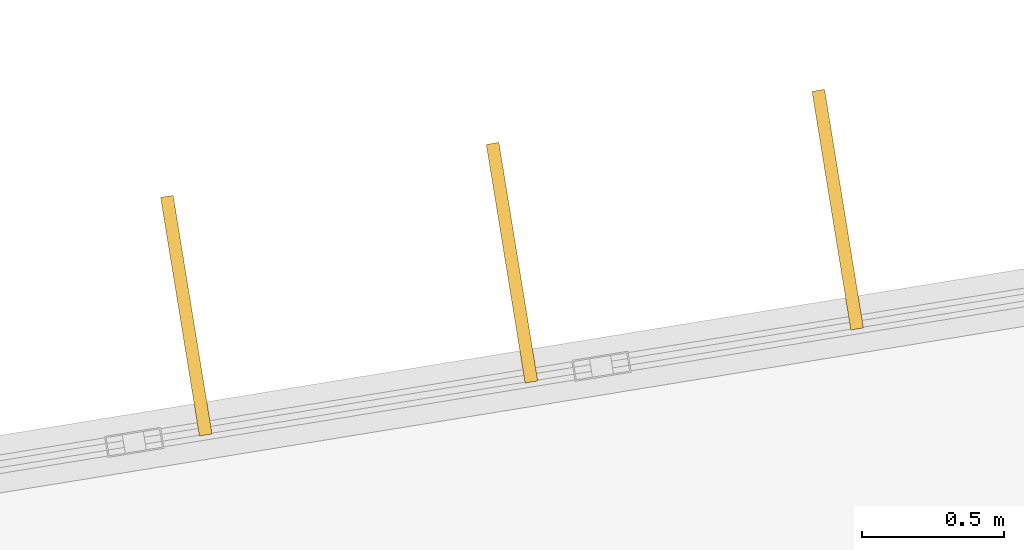
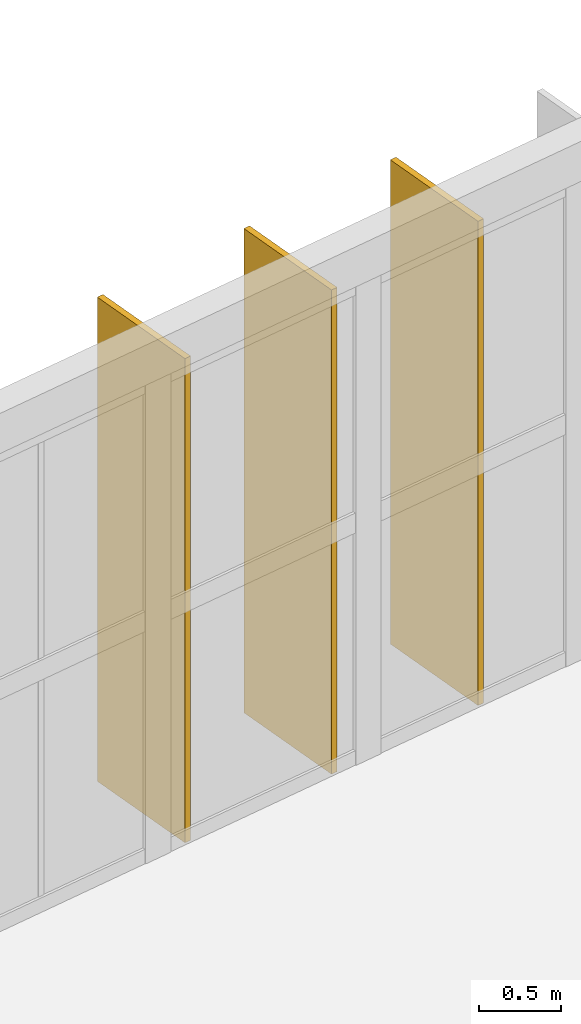
# One storey, part 144 of 148: 3 shading devices.
"""IFC4 building model written with IfcOpenShell, lengths in metres."""

from ifc_helpers import new_model, si_unit, direction, frame, origin, origin_2d, place, context, subcontext, project, spatial, rectangle, extrude, material, layer, layer_set, type_object, element, save


model = new_model("IFC4")

# Units and contexts
model_context = context("Model", 3, precision=1e-05, world=origin(), true_north=direction((0.0, 1.0)))
body_context = subcontext(model_context, "Body", "Model", "MODEL_VIEW")
ifc_project = project(units=[si_unit("LENGTHUNIT", "METRE"), si_unit("AREAUNIT", "SQUARE_METRE"), si_unit("VOLUMEUNIT", "CUBIC_METRE"), si_unit("PLANEANGLEUNIT", "RADIAN"), si_unit("MASSUNIT", "GRAM", prefix="KILO")], contexts=[model_context])

# Site, building, storey
site_placement = place(None, origin())
site = spatial("IfcSite", under=ifc_project, at=site_placement, CompositionType="ELEMENT")
building_placement = place(site_placement, origin())
building = spatial("IfcBuilding", under=site, at=building_placement, Name="Karori Crest Natural Sciences Institute", CompositionType="ELEMENT")
storey_placement = place(building_placement, frame((0.0, 0.0, 4.89990234375)))
storey = spatial("IfcBuildingStorey", under=building, at=storey_placement, Name="L01", CompositionType="ELEMENT", Elevation=4.89990234375)

# Shading devices
ifc_material = material(Name="Anodised architectural aluminium 6063-T6", Category="aluminium")
ifc_layer = layer(ifc_material, 0.044921875, Name="Anodised architectural aluminium 6063-T6")
ifc_layer_set = layer_set([ifc_layer], Name="Anodised architectural aluminium 6063-T6")
shading_device_type = type_object("IfcShadingDeviceType", Name="SDT-FIN", PredefinedType="USERDEFINED", material=ifc_layer_set)
for number, where, z_axis, x_axis, name in (
    (1, (61.5009765625, 90.318115234375, 0.0), (0.0, 0.0, 1.0), (-0.16065643331, 0.987010390237, 0.0), "Vertical solar fin FN-0055"),
    (2, (62.646240234375, 90.50439453125, 0.0), (0.0, 0.0, 1.0), (-0.16065643331, 0.987010390237, 0.0), "Vertical solar fin FN-0056"),
    (3, (63.79150390625, 90.69091796875, 0.0), (0.0, 0.0, 1.0), (-0.16065643331, 0.987010390237, 0.0), "Vertical solar fin FN-0057"),
):
    element("IfcShadingDevice", number, at=place(storey_placement, frame(where, z_axis=z_axis, x_axis=x_axis)), inside=storey, type_object=shading_device_type, Name=name, ObjectType="SOLAR_FIN", PredefinedType="USERDEFINED", context=body_context, shape_type="SweptSolid", body=[
        extrude(rectangle(XDim=0.85009765625, YDim=0.044921875, at=origin_2d()), origin(), (0.0, 0.0, 1.0), 3.625),
    ])

save(model, "model.ifc")
